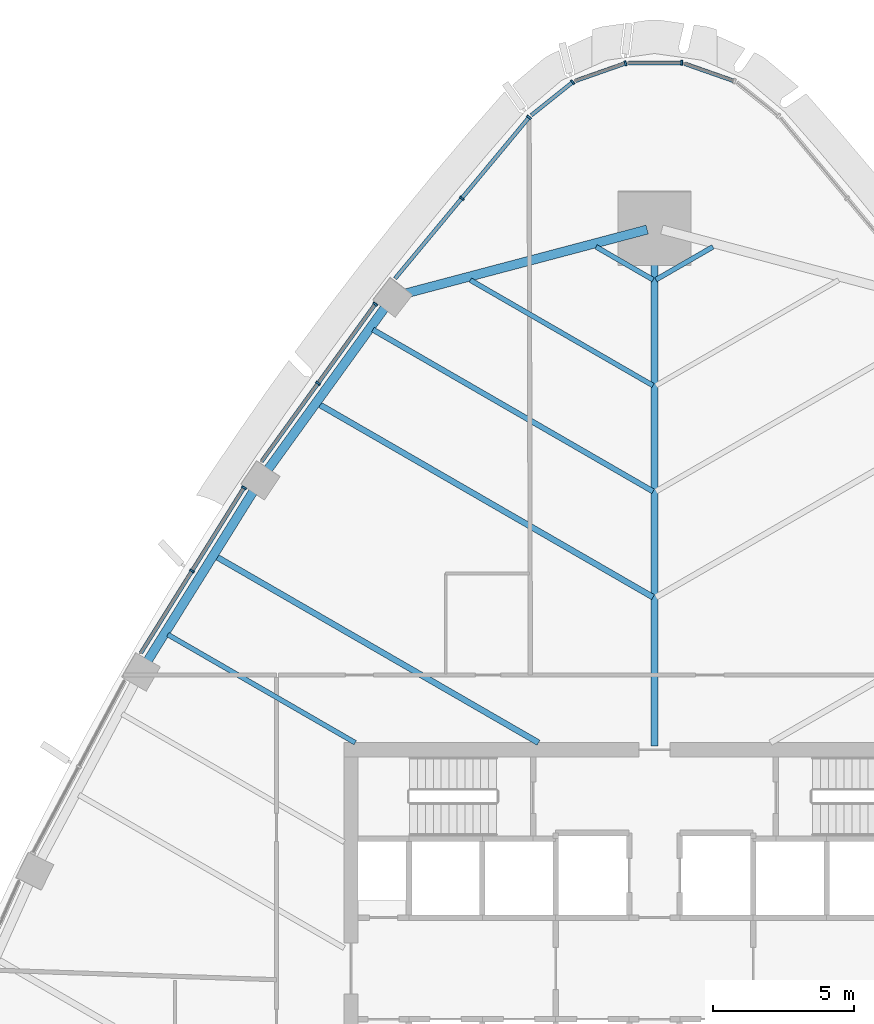
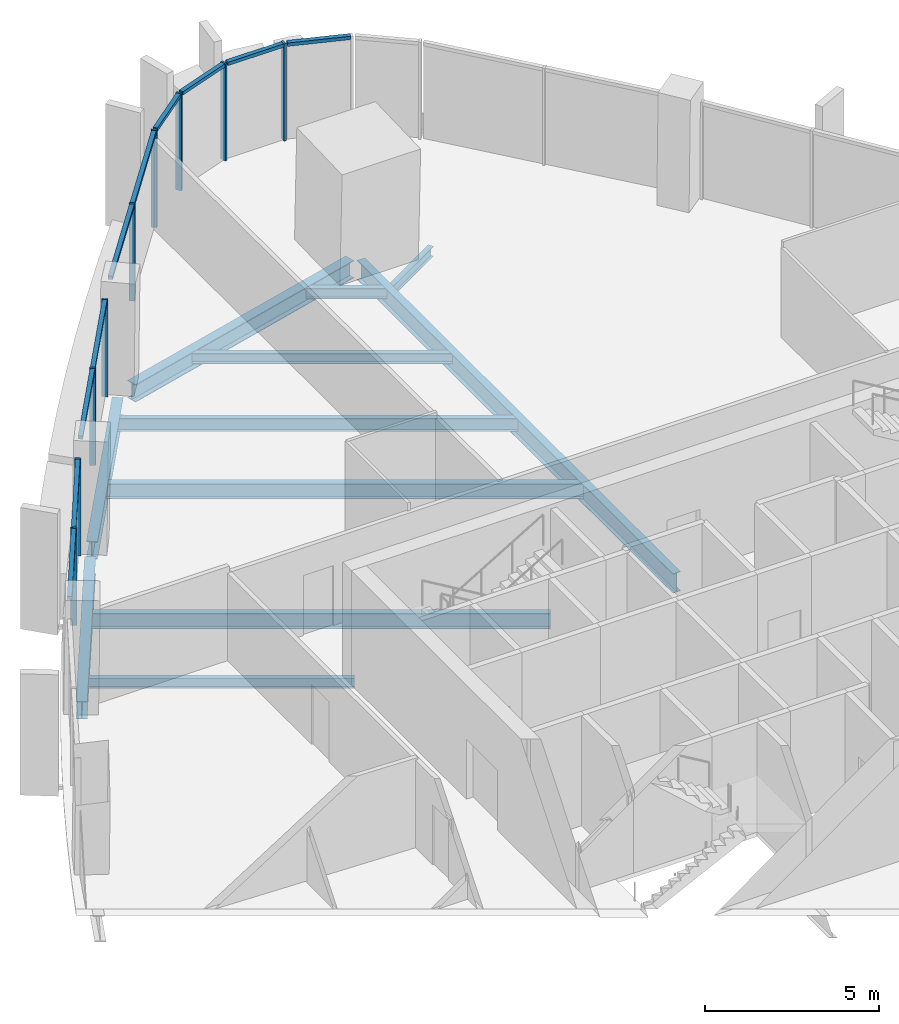
# One storey, part 6 of 19: 19 members, 11 beams, 7 elements without a shape of their own.
"""IFC4 building model written with IfcOpenShell, lengths in metres."""

from ifc_helpers import new_model, si_unit, direction, frame, origin, origin_2d, place, context, subcontext, project, spatial, rectangle, i_section, extrude, material, layer, layer_set, material_profile, profile_set, type_object, element, aggregate, save


model = new_model("IFC4")

# Units and contexts
model_context = context("Model", 3, precision=1e-05, world=origin(), true_north=direction((0.0, 1.0)))
body_context = subcontext(model_context, "Body", "Model", "MODEL_VIEW")
ifc_project = project(units=[si_unit("LENGTHUNIT", "METRE"), si_unit("AREAUNIT", "SQUARE_METRE"), si_unit("VOLUMEUNIT", "CUBIC_METRE"), si_unit("PLANEANGLEUNIT", "RADIAN"), si_unit("MASSUNIT", "GRAM", prefix="KILO")], contexts=[model_context])

# Site, building, storey
site_placement = place(None, origin())
site = spatial("IfcSite", under=ifc_project, at=site_placement, CompositionType="ELEMENT")
building_placement = place(site_placement, origin())
building = spatial("IfcBuilding", under=site, at=building_placement, Name="Sierra Prisma Convention Tower", CompositionType="ELEMENT")
storey_placement = place(building_placement, frame((0.0, 0.0, 209.800048828125)))
storey = spatial("IfcBuildingStorey", under=building, at=storey_placement, Name="L47", CompositionType="ELEMENT", Elevation=209.800048828125)

# Curtain wall, member
ifc_material_1 = material(Name="Aluminium and glass curtain wall", Category="aluminium")
ifc_layer = layer(ifc_material_1, 0.179931640625)
ifc_layer_set = layer_set([ifc_layer], Name="CW-1 Plain shaft curtain wall")
curtain_wall_type = type_object("IfcCurtainWallType", Name="CW-1 Plain shaft curtain wall", PredefinedType="NOTDEFINED", material=ifc_layer_set)
curtain_wall_1_placement = place(storey_placement, origin())
curtain_wall_1 = element("IfcCurtainWall", 1, at=curtain_wall_1_placement, inside=storey, type_object=curtain_wall_type, Name="CW-1 N3 L47", PredefinedType="NOTDEFINED")
ifc_material_2 = material(Name="Aluminium 6063-T6 bronze anodised", Category="aluminium")
ifc_material_profile_1 = material_profile(ifc_material_2, rectangle(XDim=0.179931640625, YDim=0.070068359375, at=origin_2d()), Name="ALU MULLION 70x180")
ifc_profile_set_1 = profile_set([ifc_material_profile_1], Name="Aluminium 6063-T6 bronze anodised")
member_type_1 = type_object("IfcMemberType", Name="CW mullion bronze", PredefinedType="MULLION", material=ifc_profile_set_1)
member_1_placement = place(storey_placement, frame((0.958984375, 32.094482421875, 0.0), z_axis=(0.0, 0.0, 1.0), x_axis=(0.0, -1.0, 0.0)))
member_1 = element("IfcMember", 2, at=member_1_placement, type_object=member_type_1, Name="CW-1 mullion N3.1", PredefinedType="MULLION", context=body_context, shape_type="SweptSolid", body=[
    extrude(rectangle(XDim=0.179931640625, YDim=0.070068359375, at=origin_2d()), origin(), (0.0, 0.0, 1.0), 3.39990234375),
])

curtain_wall_2_placement = place(storey_placement, origin())
curtain_wall_2 = element("IfcCurtainWall", 3, at=curtain_wall_2_placement, inside=storey, type_object=curtain_wall_type, Name="CW-1 N4 L47", PredefinedType="NOTDEFINED")
member_2_placement = place(storey_placement, frame((-1.027099609375, 32.0830078125, 0.0), z_axis=(0.0, 0.0, 1.0), x_axis=(0.330978991628, -0.943638122959, 0.0)))
member_2 = element("IfcMember", 4, at=member_2_placement, type_object=member_type_1, Name="CW-1 mullion N4.1", PredefinedType="MULLION", context=body_context, shape_type="SweptSolid", body=[
    extrude(rectangle(XDim=0.179931640625, YDim=0.070068359375, at=origin_2d()), origin(), (0.0, 0.0, 1.0), 3.39990234375),
])

curtain_wall_3_placement = place(storey_placement, origin())
curtain_wall_3 = element("IfcCurtainWall", 5, at=curtain_wall_3_placement, inside=storey, type_object=curtain_wall_type, Name="CW-1 N5 L47", PredefinedType="NOTDEFINED")
member_3_placement = place(storey_placement, frame((-2.8974609375, 31.41455078125, 0.0), z_axis=(0.0, 0.0, 1.0), x_axis=(0.624648788797, -0.780905814202, 0.0)))
member_3 = element("IfcMember", 6, at=member_3_placement, type_object=member_type_1, Name="CW-1 mullion N5.1", PredefinedType="MULLION", context=body_context, shape_type="SweptSolid", body=[
    extrude(rectangle(XDim=0.179931640625, YDim=0.070068359375, at=origin_2d()), origin(), (0.0, 0.0, 1.0), 3.39990234375),
])

# Curtain wall, members
curtain_wall_4_placement = place(storey_placement, origin())
curtain_wall_4 = element("IfcCurtainWall", 7, at=curtain_wall_4_placement, inside=storey, type_object=curtain_wall_type, Name="CW-1 NW1 L47", PredefinedType="NOTDEFINED")
member_4_placement = place(storey_placement, frame((-4.445068359375, 30.167724609375, 0.0), z_axis=(0.0, 0.0, 1.0), x_axis=(0.769032617455, -0.63920953786, 0.0)))
member_4 = element("IfcMember", 8, at=member_4_placement, type_object=member_type_1, Name="CW-1 mullion NW1.1", PredefinedType="MULLION", context=body_context, shape_type="SweptSolid", body=[
    extrude(rectangle(XDim=0.179931640625, YDim=0.070068359375, at=origin_2d()), origin(), (0.0, 0.0, 1.0), 3.39990234375),
])
member_5_placement = place(storey_placement, frame((-6.830322265625, 27.298095703125, 0.0), z_axis=(0.0, 0.0, 1.0), x_axis=(0.769032617455, -0.63920953786, 0.0)))
member_5 = element("IfcMember", 9, at=member_5_placement, type_object=member_type_1, Name="CW-1 mullion NW1.2", PredefinedType="MULLION", context=body_context, shape_type="SweptSolid", body=[
    extrude(rectangle(XDim=0.179931640625, YDim=0.070068359375, at=origin_2d()), origin(), (0.0, 0.0, 1.0), 3.39990234375),
])

curtain_wall_5_placement = place(storey_placement, origin())
curtain_wall_5 = element("IfcCurtainWall", 10, at=curtain_wall_5_placement, inside=storey, type_object=curtain_wall_type, Name="CW-1 NW2 L47", PredefinedType="NOTDEFINED")
member_6_placement = place(storey_placement, frame((-9.896728515625, 23.547119140625, 0.0), z_axis=(0.0, 0.0, 1.0), x_axis=(0.810657888922, -0.585520099679, 0.0)))
member_6 = element("IfcMember", 11, at=member_6_placement, type_object=member_type_1, Name="CW-1 mullion NW2.1", PredefinedType="MULLION", context=body_context, shape_type="SweptSolid", body=[
    extrude(rectangle(XDim=0.179931640625, YDim=0.070068359375, at=origin_2d()), origin(), (0.0, 0.0, 1.0), 3.39990234375),
])
member_7_placement = place(storey_placement, frame((-11.92236328125, 20.74267578125, 0.0), z_axis=(0.0, 0.0, 1.0), x_axis=(0.810657888922, -0.585520099679, 0.0)))
member_7 = element("IfcMember", 12, at=member_7_placement, type_object=member_type_1, Name="CW-1 mullion NW2.2", PredefinedType="MULLION", context=body_context, shape_type="SweptSolid", body=[
    extrude(rectangle(XDim=0.179931640625, YDim=0.070068359375, at=origin_2d()), origin(), (0.0, 0.0, 1.0), 3.39990234375),
])

curtain_wall_6_placement = place(storey_placement, origin())
curtain_wall_6 = element("IfcCurtainWall", 13, at=curtain_wall_6_placement, inside=storey, type_object=curtain_wall_type, Name="CW-1 NW3 L47", PredefinedType="NOTDEFINED")
member_8_placement = place(storey_placement, frame((-14.55078125, 17.0400390625, 0.0), z_axis=(0.0, 0.0, 1.0), x_axis=(0.848541796701, -0.529128358012, 0.0)))
member_8 = element("IfcMember", 14, at=member_8_placement, type_object=member_type_1, Name="CW-1 mullion NW3.1", PredefinedType="MULLION", context=body_context, shape_type="SweptSolid", body=[
    extrude(rectangle(XDim=0.179931640625, YDim=0.070068359375, at=origin_2d()), origin(), (0.0, 0.0, 1.0), 3.39990234375),
])
member_9_placement = place(storey_placement, frame((-16.389892578125, 14.0908203125, 0.0), z_axis=(0.0, 0.0, 1.0), x_axis=(0.848541796701, -0.529128358012, 0.0)))
member_9 = element("IfcMember", 15, at=member_9_placement, type_object=member_type_1, Name="CW-1 mullion NW3.2", PredefinedType="MULLION", context=body_context, shape_type="SweptSolid", body=[
    extrude(rectangle(XDim=0.179931640625, YDim=0.070068359375, at=origin_2d()), origin(), (0.0, 0.0, 1.0), 3.39990234375),
])

# Curtain wall, member
curtain_wall_7_placement = place(storey_placement, origin())
curtain_wall_7 = element("IfcCurtainWall", 16, at=curtain_wall_7_placement, inside=storey, type_object=curtain_wall_type, Name="CW-1 N2 L47", PredefinedType="NOTDEFINED")
ifc_material_3 = material(Name="Aluminium 6063-T6 bronze anodised", Category="aluminium")
ifc_material_profile_2 = material_profile(ifc_material_3, rectangle(XDim=0.139892578125, YDim=0.1201171875, at=origin_2d()), Name="ALU TRANSOM 120x140")
ifc_profile_set_2 = profile_set([ifc_material_profile_2], Name="Aluminium 6063-T6 bronze anodised")
member_type_2 = type_object("IfcMemberType", Name="CW transom bronze", PredefinedType="USERDEFINED", material=ifc_profile_set_2)
member_10_placement = place(storey_placement, frame((2.803955078125, 31.459716796875, 3.33984375), z_axis=(-0.94365427567, 0.330932935819, 0.0), x_axis=(-0.330932935819, -0.94365427567, 0.0)))
member_10 = element("IfcMember", 17, at=member_10_placement, type_object=member_type_2, Name="CW-1 transom N2.1", ObjectType="TRANSOM", PredefinedType="USERDEFINED", context=body_context, shape_type="SweptSolid", body=[
    extrude(rectangle(XDim=0.139892578125, YDim=0.1201171875, at=origin_2d()), origin(), (0.0, 0.0, 1.0), 1.84814453125),
])
aggregate(curtain_wall_7, [member_10])

# Member
member_11_placement = place(storey_placement, frame((0.924072265625, 32.094482421875, 3.33984375), z_axis=(-1.0, 0.0, 0.0), x_axis=(0.0, -1.0, 0.0)))
member_11 = element("IfcMember", 18, at=member_11_placement, type_object=member_type_2, Name="CW-1 transom N3.1", ObjectType="TRANSOM", PredefinedType="USERDEFINED", context=body_context, shape_type="SweptSolid", body=[
    extrude(rectangle(XDim=0.139892578125, YDim=0.1201171875, at=origin_2d()), origin(), (0.0, 0.0, 1.0), 1.84814453125),
])

aggregate(curtain_wall_1, [member_1, member_11])

member_12_placement = place(storey_placement, frame((-1.06005859375, 32.0712890625, 3.33984375), z_axis=(-0.94365427567, -0.330932935819, 0.0), x_axis=(0.330932935819, -0.94365427567, 0.0)))
member_12 = element("IfcMember", 19, at=member_12_placement, type_object=member_type_2, Name="CW-1 transom N4.1", ObjectType="TRANSOM", PredefinedType="USERDEFINED", context=body_context, shape_type="SweptSolid", body=[
    extrude(rectangle(XDim=0.139892578125, YDim=0.1201171875, at=origin_2d()), origin(), (0.0, 0.0, 1.0), 1.84814453125),
])

aggregate(curtain_wall_2, [member_2, member_12])

member_13_placement = place(storey_placement, frame((-2.9248046875, 31.392822265625, 3.33984375), z_axis=(-0.78085592126, -0.624711157442, 0.0), x_axis=(0.624711157442, -0.78085592126, 0.0)))
member_13 = element("IfcMember", 20, at=member_13_placement, type_object=member_type_2, Name="CW-1 transom N5.1", ObjectType="TRANSOM", PredefinedType="USERDEFINED", context=body_context, shape_type="SweptSolid", body=[
    extrude(rectangle(XDim=0.139892578125, YDim=0.1201171875, at=origin_2d()), origin(), (0.0, 0.0, 1.0), 1.84814453125),
])

aggregate(curtain_wall_3, [member_3, member_13])

member_14_placement = place(storey_placement, frame((-4.46728515625, 30.140869140625, 3.33984375), z_axis=(-0.639213275504, -0.76902951076, 0.0), x_axis=(0.76902951076, -0.639213275504, 0.0)))
member_14 = element("IfcMember", 21, at=member_14_placement, type_object=member_type_2, Name="CW-1 transom NW1.1", ObjectType="TRANSOM", PredefinedType="USERDEFINED", context=body_context, shape_type="SweptSolid", body=[
    extrude(rectangle(XDim=0.139892578125, YDim=0.1201171875, at=origin_2d()), origin(), (0.0, 0.0, 1.0), 3.66162109375),
])

member_15_placement = place(storey_placement, frame((-6.8525390625, 27.27099609375, 3.33984375), z_axis=(-0.639213275504, -0.76902951076, 0.0), x_axis=(0.76902951076, -0.639213275504, 0.0)))
member_15 = element("IfcMember", 22, at=member_15_placement, type_object=member_type_2, Name="CW-1 transom NW1.2", ObjectType="TRANSOM", PredefinedType="USERDEFINED", context=body_context, shape_type="SweptSolid", body=[
    extrude(rectangle(XDim=0.139892578125, YDim=0.1201171875, at=origin_2d()), origin(), (0.0, 0.0, 1.0), 3.66162109375),
])

aggregate(curtain_wall_4, [member_4, member_5, member_14, member_15])

member_16_placement = place(storey_placement, frame((-9.917236328125, 23.518798828125, 3.33984375), z_axis=(-0.585508962263, -0.810665933113, 0.0), x_axis=(0.810665933113, -0.585508962263, 0.0)))
member_16 = element("IfcMember", 23, at=member_16_placement, type_object=member_type_2, Name="CW-1 transom NW2.1", ObjectType="TRANSOM", PredefinedType="USERDEFINED", context=body_context, shape_type="SweptSolid", body=[
    extrude(rectangle(XDim=0.139892578125, YDim=0.1201171875, at=origin_2d()), origin(), (0.0, 0.0, 1.0), 3.3896484375),
])

member_17_placement = place(storey_placement, frame((-11.94287109375, 20.71435546875, 3.33984375), z_axis=(-0.585508962263, -0.810665933113, 0.0), x_axis=(0.810665933113, -0.585508962263, 0.0)))
member_17 = element("IfcMember", 24, at=member_17_placement, type_object=member_type_2, Name="CW-1 transom NW2.2", ObjectType="TRANSOM", PredefinedType="USERDEFINED", context=body_context, shape_type="SweptSolid", body=[
    extrude(rectangle(XDim=0.139892578125, YDim=0.1201171875, at=origin_2d()), origin(), (0.0, 0.0, 1.0), 3.3896484375),
])

aggregate(curtain_wall_5, [member_6, member_7, member_16, member_17])

member_18_placement = place(storey_placement, frame((-14.5693359375, 17.01025390625, 3.33984375), z_axis=(-0.529148052738, -0.84852951527, 0.0), x_axis=(0.84852951527, -0.529148052738, 0.0)))
member_18 = element("IfcMember", 25, at=member_18_placement, type_object=member_type_2, Name="CW-1 transom NW3.1", ObjectType="TRANSOM", PredefinedType="USERDEFINED", context=body_context, shape_type="SweptSolid", body=[
    extrude(rectangle(XDim=0.139892578125, YDim=0.1201171875, at=origin_2d()), origin(), (0.0, 0.0, 1.0), 3.405517578125),
])

member_19_placement = place(storey_placement, frame((-16.408447265625, 14.061279296875, 3.33984375), z_axis=(-0.529096432427, -0.848561703822, 0.0), x_axis=(0.848561703822, -0.529096432427, 0.0)))
member_19 = element("IfcMember", 26, at=member_19_placement, type_object=member_type_2, Name="CW-1 transom NW3.2", ObjectType="TRANSOM", PredefinedType="USERDEFINED", context=body_context, shape_type="SweptSolid", body=[
    extrude(rectangle(XDim=0.139892578125, YDim=0.1201171875, at=origin_2d()), origin(), (0.0, 0.0, 1.0), 3.4052734375),
])

aggregate(curtain_wall_6, [member_8, member_9, member_18, member_19])

# Beams
ifc_material_4 = material(Name="Steel ASTM A992 Gr 50", Category="steel")
ifc_material_profile_3 = material_profile(ifc_material_4, i_section(OverallWidth=0.172119140625, OverallDepth=0.35791015625, WebThickness=0.0078125, FlangeThickness=0.01318359375, at=origin_2d()), Name="W360x57")
ifc_profile_set_3 = profile_set([ifc_material_profile_3], Name="Steel ASTM A992 Gr 50")
beam_type_1 = type_object("IfcBeamType", Name="Floor joist W360x57", PredefinedType="JOIST", material=ifc_profile_set_3)
for number, where, z_axis, x_axis, name in (
    (27, (2.071533203125, 25.57763671875, -0.3291015625), (-0.86601308846, -0.500021330162, 0.0), (0.500021330162, -0.86601308846, 0.0), "Floor joist L47 NE14"),
    (28, (-2.071533203125, 25.57763671875, -0.3291015625), (0.86601308846, -0.500021330162, 0.0), (0.500021330162, 0.86601308846, 0.0), "Floor joist L47 NW01"),
):
    element("IfcBeam", number, at=place(storey_placement, frame(where, z_axis=z_axis, x_axis=x_axis)), inside=storey, type_object=beam_type_1, Name=name, PredefinedType="JOIST", context=body_context, shape_type="SweptSolid", body=[
        extrude(i_section(OverallWidth=0.172119140625, OverallDepth=0.35791015625, WebThickness=0.0078125, FlangeThickness=0.01318359375, at=origin_2d()), origin(), (0.0, 0.0, 1.0), 2.33349609375),
    ])
beam_1_placement = place(storey_placement, frame((-6.527099609375, 24.399169921875, -0.3291015625), z_axis=(0.86601650607, -0.500015410976, 0.0), x_axis=(0.500015410976, 0.86601650607, 0.0)))
element("IfcBeam", 29, at=beam_1_placement, inside=storey, type_object=beam_type_1, Name="Floor joist L47 NW02", PredefinedType="JOIST", context=body_context, shape_type="SweptSolid", body=[
    extrude(i_section(OverallWidth=0.172119140625, OverallDepth=0.35791015625, WebThickness=0.0078125, FlangeThickness=0.01318359375, at=origin_2d()), origin(), (0.0, 0.0, 1.0), 7.478271484375),
])
beam_2_placement = place(storey_placement, frame((-17.25146484375, 11.835693359375, -0.3291015625), z_axis=(0.86602341282, -0.500003448435, 0.0), x_axis=(0.500003448435, 0.86602341282, 0.0)))
element("IfcBeam", 30, at=beam_2_placement, inside=storey, type_object=beam_type_1, Name="Floor joist L47 NW07", PredefinedType="JOIST", context=body_context, shape_type="SweptSolid", body=[
    extrude(i_section(OverallWidth=0.172119140625, OverallDepth=0.35791015625, WebThickness=0.0078125, FlangeThickness=0.01318359375, at=origin_2d()), origin(), (0.0, 0.0, 1.0), 7.67138671875),
])
ifc_material_5 = material(Name="Steel ASTM A992 Gr 50", Category="steel")
ifc_material_profile_4 = material_profile(ifc_material_5, i_section(OverallWidth=0.18994140625, OverallDepth=0.45703125, WebThickness=0.009033203125, FlangeThickness=0.014404296875, at=origin_2d()), Name="W460x74")
ifc_profile_set_4 = profile_set([ifc_material_profile_4], Name="Steel ASTM A992 Gr 50")
beam_type_2 = type_object("IfcBeamType", Name="Floor joist W460x74", PredefinedType="JOIST", material=ifc_profile_set_4)
beam_3_placement = place(storey_placement, frame((-9.980224609375, 22.6416015625, -0.378662109375), z_axis=(0.866029209911, -0.499993407537, 0.0), x_axis=(0.499993407537, 0.866029209911, 0.0)))
element("IfcBeam", 31, at=beam_3_placement, inside=storey, type_object=beam_type_2, Name="Floor joist L47 NW03", PredefinedType="JOIST", context=body_context, shape_type="SweptSolid", body=[
    extrude(i_section(OverallWidth=0.18994140625, OverallDepth=0.45703125, WebThickness=0.009033203125, FlangeThickness=0.014404296875, at=origin_2d()), origin(), (0.0, 0.0, 1.0), 11.465576171875),
])
ifc_material_6 = material(Name="Steel ASTM A992 Gr 50", Category="steel")
ifc_material_profile_5 = material_profile(ifc_material_6, i_section(OverallWidth=0.208984375, OverallDepth=0.532958984375, WebThickness=0.01025390625, FlangeThickness=0.015625, at=origin_2d()), Name="W530x92")
ifc_profile_set_5 = profile_set([ifc_material_profile_5], Name="Steel ASTM A992 Gr 50")
beam_type_3 = type_object("IfcBeamType", Name="Floor joist W530x92", PredefinedType="JOIST", material=ifc_profile_set_5)
beam_4_placement = place(storey_placement, frame((-11.89208984375, 19.99462890625, -0.41650390625), z_axis=(0.8660226417, -0.50000478404, 0.0), x_axis=(0.50000478404, 0.8660226417, 0.0)))
element("IfcBeam", 32, at=beam_4_placement, inside=storey, type_object=beam_type_3, Name="Floor joist L47 NW04", PredefinedType="JOIST", context=body_context, shape_type="SweptSolid", body=[
    extrude(i_section(OverallWidth=0.208984375, OverallDepth=0.532958984375, WebThickness=0.01025390625, FlangeThickness=0.015625, at=origin_2d()), origin(), (0.0, 0.0, 1.0), 13.673095703125),
])
beam_5_placement = place(storey_placement, frame((-15.531494140625, 14.59375, -0.41650390625), z_axis=(0.86601971914, -0.500009845964, 0.0), x_axis=(0.500009845964, 0.86601971914, 0.0)))
element("IfcBeam", 33, at=beam_5_placement, inside=storey, type_object=beam_type_3, Name="Floor joist L47 NW06", PredefinedType="JOIST", context=body_context, shape_type="SweptSolid", body=[
    extrude(i_section(OverallWidth=0.208984375, OverallDepth=0.532958984375, WebThickness=0.01025390625, FlangeThickness=0.015625, at=origin_2d()), origin(), (0.0, 0.0, 1.0), 13.187255859375),
])
ifc_material_7 = material(Name="Steel ASTM A992 Gr 50", Category="steel")
ifc_material_profile_6 = material_profile(ifc_material_7, i_section(OverallWidth=0.25390625, OverallDepth=0.68408203125, WebThickness=0.012451171875, FlangeThickness=0.018798828125, at=origin_2d()), Name="W690x140")
ifc_profile_set_6 = profile_set([ifc_material_profile_6], Name="Steel ASTM A992 Gr 50")
beam_type_4 = type_object("IfcBeamType", Name="Radial girder W690x140", PredefinedType="BEAM", material=ifc_profile_set_6)
beam_6_placement = place(storey_placement, frame((0.0, 25.9970703125, -0.491943359375), z_axis=(0.0, -1.0, 0.0), x_axis=(1.0, 0.0, 0.0)))
element("IfcBeam", 34, at=beam_6_placement, inside=storey, type_object=beam_type_4, Name="Radial girder L47 N", PredefinedType="BEAM", context=body_context, shape_type="SweptSolid", body=[
    extrude(i_section(OverallWidth=0.25390625, OverallDepth=0.68408203125, WebThickness=0.012451171875, FlangeThickness=0.018798828125, at=origin_2d()), origin(), (0.0, 0.0, 1.0), 18.1171875),
])
ifc_material_8 = material(Name="Steel ASTM A992 Gr 50", Category="steel")
ifc_material_profile_7 = material_profile(ifc_material_8, i_section(OverallWidth=0.324951171875, OverallDepth=0.615966796875, WebThickness=0.013916015625, FlangeThickness=0.021484375, at=origin_2d()), Name="W610x174")
ifc_profile_set_7 = profile_set([ifc_material_profile_7], Name="Steel ASTM A992 Gr 50")
beam_type_5 = type_object("IfcBeamType", Name="Spandrel beam W610x174", PredefinedType="BEAM", material=ifc_profile_set_7)
beam_7_placement = place(storey_placement, frame((-0.260009765625, 26.1884765625, -0.4580078125), z_axis=(-0.966752931089, -0.255712280172, 0.0), x_axis=(0.255712280172, -0.966752931089, 0.0)))
element("IfcBeam", 35, at=beam_7_placement, inside=storey, type_object=beam_type_5, Name="Spandrel L47-13", PredefinedType="BEAM", context=body_context, shape_type="SweptSolid", body=[
    extrude(i_section(OverallWidth=0.324951171875, OverallDepth=0.615966796875, WebThickness=0.013916015625, FlangeThickness=0.021484375, at=origin_2d()), origin(), (0.0, 0.0, 1.0), 8.82177734375),
])
for number, where, z_axis, x_axis, name in (
    (36, (-9.503662109375, 23.493896484375, -0.4580078125), (-0.585531133371, -0.810649919419, 0.0), (0.810649919419, -0.585531133371, 0.0), "Spandrel L47-14"),
    (37, (-14.171875, 16.986572265625, -0.4580078125), (-0.529144942654, -0.848531454728, 0.0), (0.848531454728, -0.529144942654, 0.0), "Spandrel L47-15"),
):
    element("IfcBeam", number, at=place(storey_placement, frame(where, z_axis=z_axis, x_axis=x_axis)), inside=storey, type_object=beam_type_5, Name=name, PredefinedType="BEAM", context=body_context, shape_type="SweptSolid", body=[
        extrude(i_section(OverallWidth=0.324951171875, OverallDepth=0.615966796875, WebThickness=0.013916015625, FlangeThickness=0.021484375, at=origin_2d()), origin(), (0.0, 0.0, 1.0), 7.248779296875),
    ])

save(model, "model.ifc")
